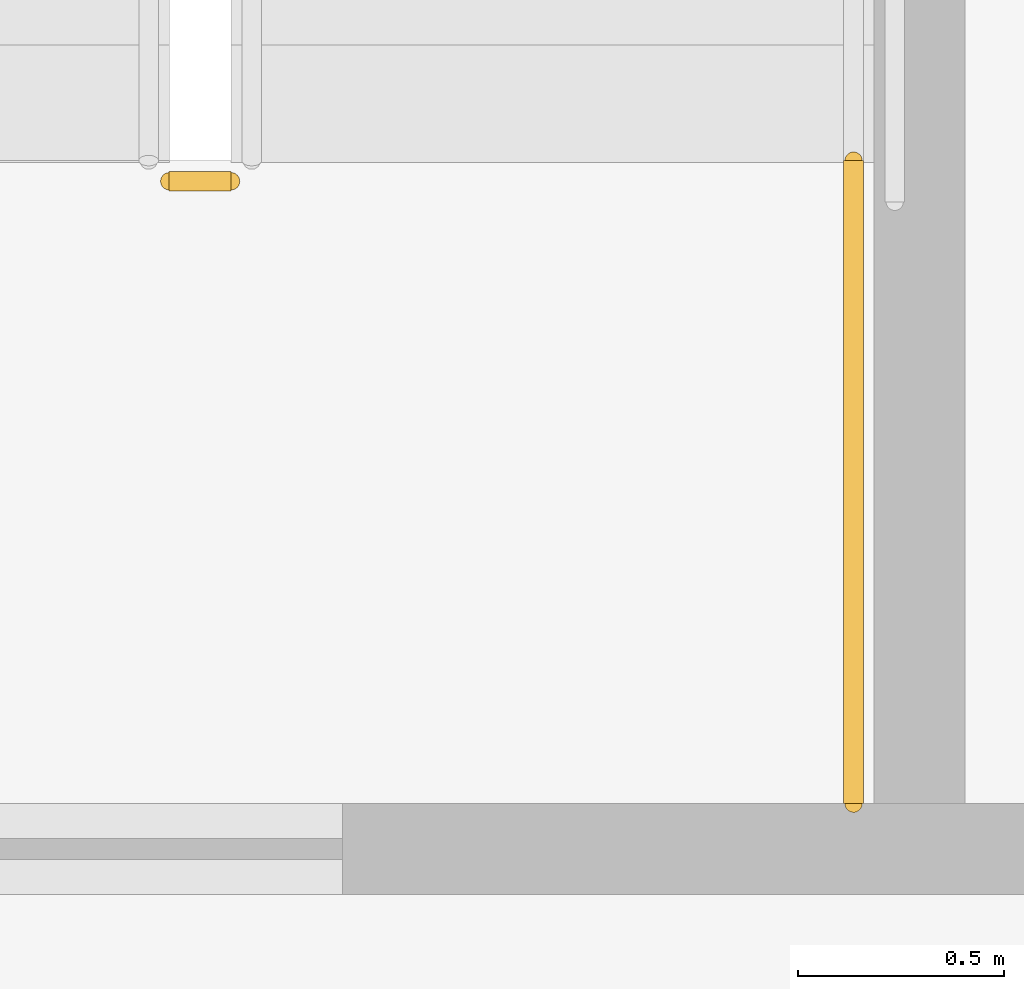
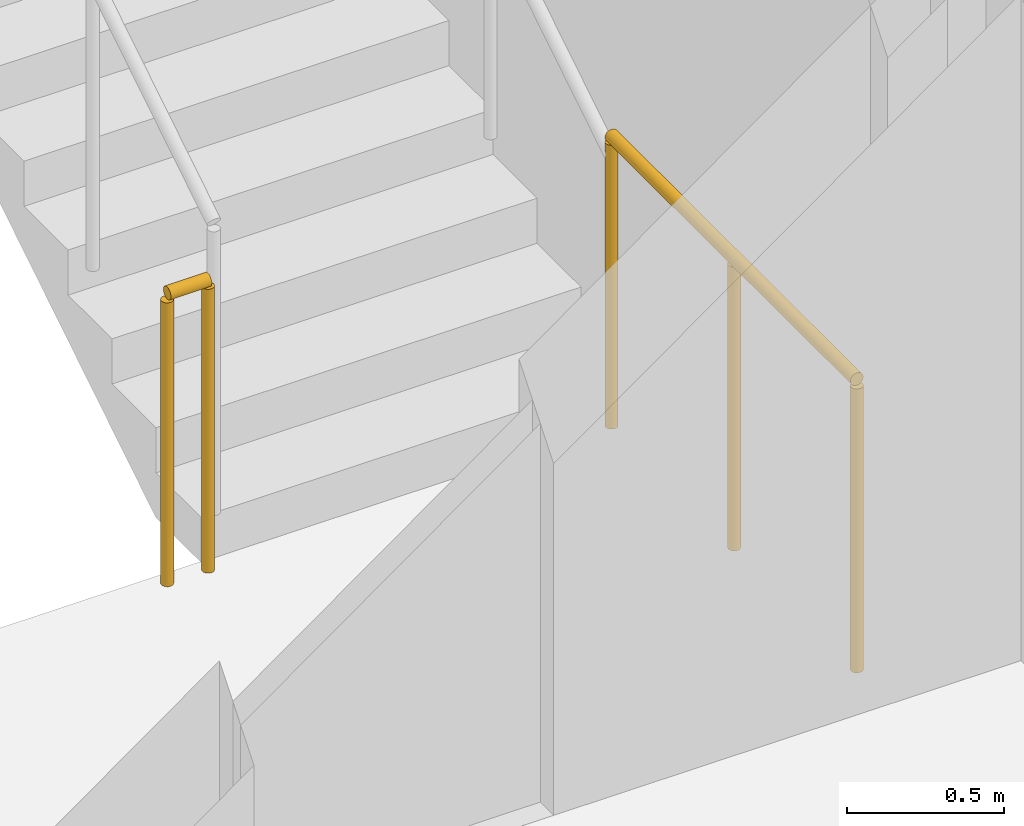
# One storey, part 12 of 15: 2 railings.
"""IFC4 building model written with IfcOpenShell, lengths in metres."""

from ifc_helpers import new_model, si_unit, direction, frame, origin, origin_2d, place, context, subcontext, project, spatial, circle, extrude, material, type_object, element, save


model = new_model("IFC4")

# Units and contexts
model_context = context("Model", 3, precision=1e-05, world=origin(), true_north=direction((0.0, 1.0)))
body_context = subcontext(model_context, "Body", "Model", "MODEL_VIEW")
ifc_project = project(units=[si_unit("LENGTHUNIT", "METRE"), si_unit("AREAUNIT", "SQUARE_METRE"), si_unit("VOLUMEUNIT", "CUBIC_METRE"), si_unit("PLANEANGLEUNIT", "RADIAN"), si_unit("MASSUNIT", "GRAM", prefix="KILO")], contexts=[model_context])

# Site, building, storey
site_placement = place(None, origin())
site = spatial("IfcSite", under=ifc_project, at=site_placement, CompositionType="ELEMENT")
building_placement = place(site_placement, origin())
building = spatial("IfcBuilding", under=site, at=building_placement, Name="Khairoan Windgate Tower", CompositionType="ELEMENT")
storey_placement = place(building_placement, frame((0.0, 0.0, 68.0)))
storey = spatial("IfcBuildingStorey", under=building, at=storey_placement, Name="L16", CompositionType="ELEMENT", Elevation=68.0)

# Railings
ifc_material = material(Name="Steel S355", Category="steel")
railing_type = type_object("IfcRailingType", Name="Stairwell Safety Guardrail SGR-1150", PredefinedType="GUARDRAIL", material=ifc_material)
railing_1_placement = place(storey_placement, frame((-17.7099609375, 2.909912109375, 0.0)))
element("IfcRailing", 1, at=railing_1_placement, inside=storey, type_object=railing_type, Name="L16 ST2 stair guard 7", PredefinedType="GUARDRAIL", context=body_context, shape_type="SweptSolid", body=[
    extrude(circle(Radius=0.02392578125, at=origin_2d()), frame((0.0, 0.0, 1.1259765625), z_axis=(-1.0, 0.0, 0.0), x_axis=(0.0, -1.0, 0.0)), (0.0, 0.0, 1.0), 0.150146484375),
    extrude(circle(Radius=0.02099609375, at=origin_2d()), origin(), (0.0, 0.0, 1.0), 1.101806640625),
    extrude(circle(Radius=0.02099609375, at=origin_2d()), frame((-0.150146484375, 0.0, 0.0)), (0.0, 0.0, 1.0), 1.101806640625),
])
railing_2_placement = place(storey_placement, frame((-16.199951171875, 1.39990234375, 0.0)))
element("IfcRailing", 2, at=railing_2_placement, inside=storey, type_object=railing_type, Name="L16 ST2 stair guard 8", PredefinedType="GUARDRAIL", context=body_context, shape_type="SweptSolid", body=[
    extrude(circle(Radius=0.02392578125, at=origin_2d()), frame((0.0, 0.0, 1.1259765625), z_axis=(0.0, 1.0, 0.0), x_axis=(-1.0, 0.0, 0.0)), (0.0, 0.0, 1.0), 1.56005859375),
    extrude(circle(Radius=0.02099609375, at=origin_2d()), origin(), (0.0, 0.0, 1.0), 1.101806640625),
    extrude(circle(Radius=0.02099609375, at=origin_2d()), frame((0.0, 0.780029296875, 0.0)), (0.0, 0.0, 1.0), 1.101806640625),
    extrude(circle(Radius=0.02099609375, at=origin_2d()), frame((0.0, 1.56005859375, 0.0)), (0.0, 0.0, 1.0), 1.101806640625),
])

save(model, "model.ifc")
